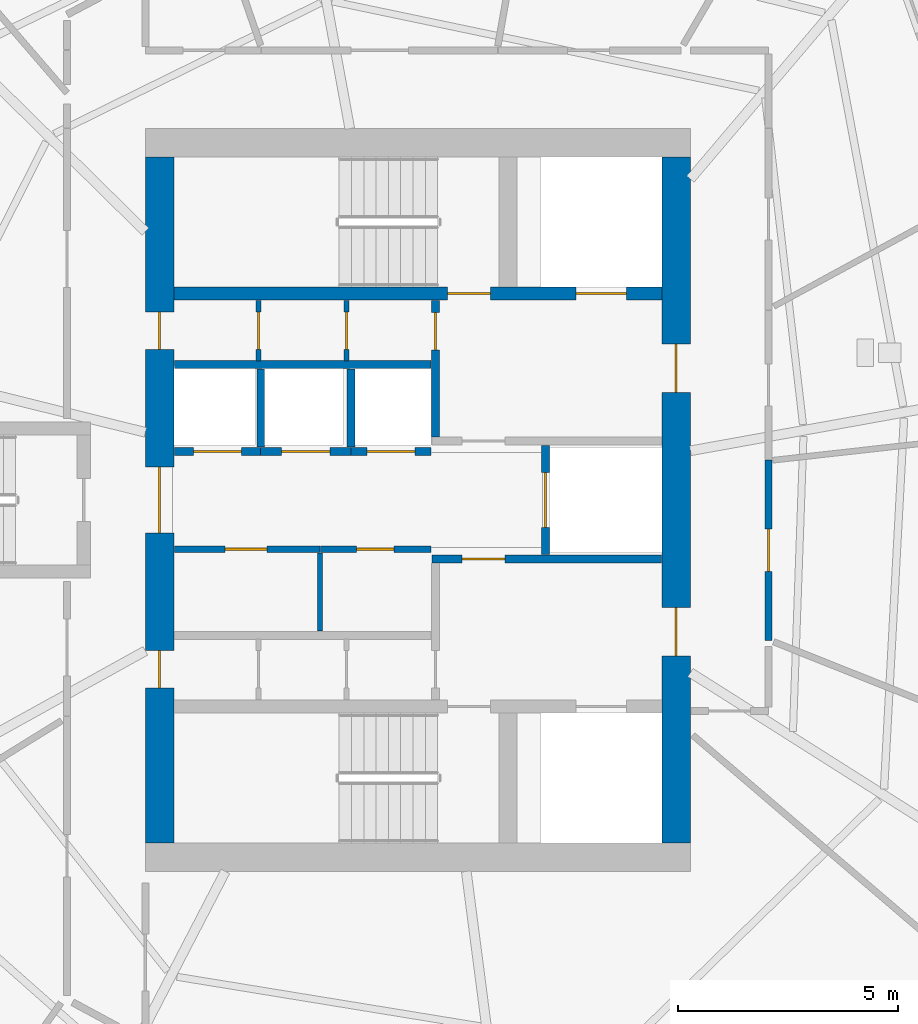
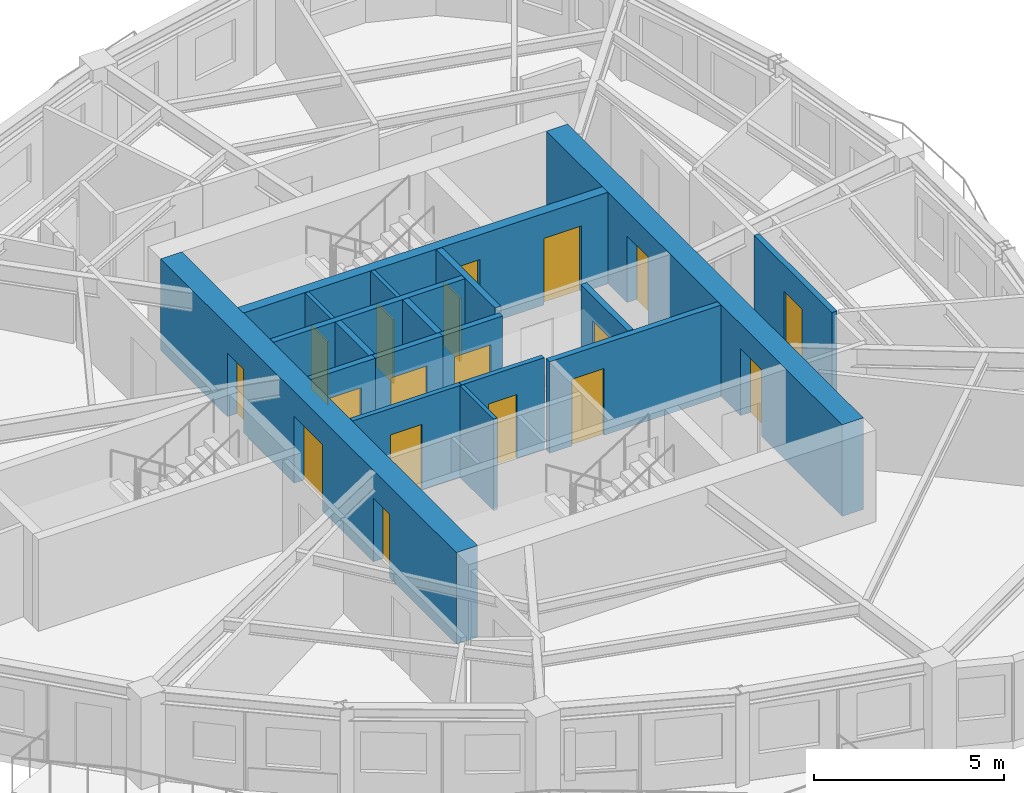
# One storey, part 5 of 12: 18 doors, 18 walls, 18 openings.
"""IFC4 building model written with IfcOpenShell, lengths in metres."""

from ifc_helpers import new_model, si_unit, direction, frame, frame_2d, origin, place, context, subcontext, project, spatial, rectangle, extrude, source, transform, mapped, material, layer, layer_set, type_object, element, fill, save


model = new_model("IFC4")

# Units and contexts
model_context = context("Model", 3, precision=1e-05, world=origin(), true_north=direction((0.0, 1.0)))
body_context = subcontext(model_context, "Body", "Model", "MODEL_VIEW")
ifc_project = project(units=[si_unit("LENGTHUNIT", "METRE"), si_unit("AREAUNIT", "SQUARE_METRE"), si_unit("VOLUMEUNIT", "CUBIC_METRE"), si_unit("PLANEANGLEUNIT", "RADIAN"), si_unit("MASSUNIT", "GRAM", prefix="KILO")], contexts=[model_context])

# Site, building, storey
site_placement = place(None, origin())
site = spatial("IfcSite", under=ifc_project, at=site_placement, CompositionType="ELEMENT")
building_placement = place(site_placement, origin())
building = spatial("IfcBuilding", under=site, at=building_placement, Name="Qafzar Sky-Pleat Residences", CompositionType="ELEMENT")
storey_placement = place(building_placement, frame((0.0, 0.0, 181.0)))
storey = spatial("IfcBuildingStorey", under=building, at=storey_placement, Name="L54", CompositionType="ELEMENT", Elevation=181.0)

# Wall, opening, door
ifc_material_1 = material(Name="Acoustic gypsum plasterboard partition", Category="gypsum")
ifc_layer_1 = layer(ifc_material_1, 0.159912109375)
ifc_layer_set_1 = layer_set([ifc_layer_1], Name="Acoustic gypsum plasterboard partition")
wall_type_1 = type_object("IfcWallType", Name="PART-COR-160", PredefinedType="PARTITIONING", material=ifc_layer_set_1)
wall_1_placement = place(storey_placement, frame((38.330078125, 26.908935546875, 0.0), z_axis=(0.0, 0.0, 1.0), x_axis=(0.0, -1.0, 0.0)))
wall_1 = element("IfcWall", 1, at=wall_1_placement, inside=storey, type_object=wall_type_1, Name="L54 Partition Wall PART-L54-PW-006", PredefinedType="PARTITIONING", context=body_context, shape_type="SweptSolid", body=[
    extrude(rectangle(XDim=4.10498046875, YDim=0.159912109375, at=frame_2d((2.052490234375, 0.0))), origin(), (0.0, 0.0, 1.0), 2.949951171875),
])
opening_1_placement = place(wall_1_placement, frame((1.572021484375, 0.0, 0.0)))
opening_1 = element("IfcOpeningElement", 2, at=opening_1_placement, cuts=wall_1, Name="Opening ID-06", PredefinedType="OPENING", context=body_context, shape_type="SweptSolid", body=[
    extrude(rectangle(XDim=0.9599609375, YDim=2.10009765625, at=frame_2d((0.47998046875, 1.050048828125))), frame((0.0, 0.08984375, 0.0), z_axis=(0.0, -1.0, 0.0), x_axis=(1.0, 0.0, 0.0)), (0.0, 0.0, 1.0), 0.179931640625),
])
ifc_material_2 = material(Name="Timber-faced fire door", Category="wood")
door_type_1 = type_object("IfcDoorType", Name="DR-STD-960", OperationType="NOTDEFINED", PredefinedType="DOOR", material=ifc_material_2)
shared_shape_1 = source(origin(), body_context, "Body", "SweptSolid", [
    extrude(rectangle(XDim=0.9599609375, YDim=2.10009765625, at=frame_2d((0.47998046875, 1.050048828125))), frame((0.0, 0.02490234375, 0.0), z_axis=(0.0, -1.0, 0.0), x_axis=(1.0, 0.0, 0.0)), (0.0, 0.0, 1.0), 0.050048828125),
])
door_1_placement = place(opening_1_placement, origin())
door_1 = element("IfcDoor", 3, at=door_1_placement, inside=storey, type_object=door_type_1, Name="L54 Postdoctoral Admin Office Door", OperationType="SINGLE_SWING_LEFT", OverallHeight=2.10009765625, OverallWidth=0.9599609375, PredefinedType="DOOR", context=body_context, shape_type="MappedRepresentation", body=[
    mapped(shared_shape_1, transform((0.0, 0.0, 0.0), x_axis=(1.0, 0.0, 0.0), y_axis=(0.0, 1.0, 0.0), z_axis=(0.0, 0.0, 1.0), scale=1.0)),
])
fill(opening_1, door_1)

ifc_material_3 = material(Name="Concrete blockwork partition", Category="masonry")
ifc_layer_2 = layer(ifc_material_3, 0.179931640625)
ifc_layer_set_2 = layer_set([ifc_layer_2], Name="Concrete blockwork partition")
wall_type_2 = type_object("IfcWallType", Name="PART-SHAFT-180", PredefinedType="PARTITIONING", material=ifc_layer_set_2)
wall_2_placement = place(storey_placement, frame((30.669921875, 24.659912109375, 0.0), z_axis=(0.0, 0.0, 1.0), x_axis=(1.0, 0.0, 0.0)))
wall_2 = element("IfcWall", 4, at=wall_2_placement, inside=storey, type_object=wall_type_2, Name="L54 Partition Wall PART-L54-FFL1-N", PredefinedType="PARTITIONING", context=body_context, shape_type="SweptSolid", body=[
    extrude(rectangle(XDim=5.219970703125, YDim=0.179931640625, at=frame_2d((2.60986328125, 0.0))), origin(), (0.0, 0.0, 1.0), 2.949951171875),
])
opening_2_placement = place(wall_2_placement, frame((0.679931640625, 0.0, 0.0)))
opening_2 = element("IfcOpeningElement", 5, at=opening_2_placement, cuts=wall_2, Name="Opening ID-01", PredefinedType="OPENING", context=body_context, shape_type="SweptSolid", body=[
    extrude(rectangle(XDim=0.97998046875, YDim=2.14990234375, at=frame_2d((0.489990234375, 1.074951171875))), frame((0.0, 0.10009765625, 0.0), z_axis=(0.0, -1.0, 0.0), x_axis=(1.0, 0.0, 0.0)), (0.0, 0.0, 1.0), 0.199951171875),
])
door_type_2 = type_object("IfcDoorType", Name="DR-STAIR-980", OperationType="NOTDEFINED", PredefinedType="DOOR", material=ifc_material_2)
shared_shape_2 = source(origin(), body_context, "Body", "SweptSolid", [
    extrude(rectangle(XDim=0.97998046875, YDim=2.14990234375, at=frame_2d((0.489990234375, 1.074951171875))), frame((0.0, 0.02490234375, 0.0), z_axis=(0.0, -1.0, 0.0), x_axis=(1.0, 0.0, 0.0)), (0.0, 0.0, 1.0), 0.050048828125),
])
door_2_placement = place(opening_2_placement, origin())
door_2 = element("IfcDoor", 6, at=door_2_placement, inside=storey, type_object=door_type_2, Name="L54 Lift Lobby to South Firefighting Lobby Door", OperationType="SINGLE_SWING_LEFT", OverallHeight=2.14990234375, OverallWidth=0.97998046875, PredefinedType="DOOR", context=body_context, shape_type="MappedRepresentation", body=[
    mapped(shared_shape_2, transform((0.0, 0.0, 0.0), x_axis=(1.0, 0.0, 0.0), y_axis=(0.0, 1.0, 0.0), z_axis=(0.0, 0.0, 1.0), scale=1.0)),
])
fill(opening_2, door_2)

wall_3_placement = place(storey_placement, frame((30.75, 27.429931640625, 0.0), z_axis=(0.0, 0.0, 1.0), x_axis=(0.0, 1.0, 0.0)))
wall_3 = element("IfcWall", 7, at=wall_3_placement, inside=storey, type_object=wall_type_2, Name="L54 Partition Wall PART-L54-FFL2-W", PredefinedType="PARTITIONING", context=body_context, shape_type="SweptSolid", body=[
    extrude(rectangle(XDim=3.110107421875, YDim=0.179931640625, at=frame_2d((1.55517578125, 0.0))), origin(), (0.0, 0.0, 1.0), 2.949951171875),
])
opening_3_placement = place(wall_3_placement, frame((1.97998046875, 0.0, 0.0)))
opening_3 = element("IfcOpeningElement", 8, at=opening_3_placement, cuts=wall_3, Name="Opening ID-09", PredefinedType="OPENING", context=body_context, shape_type="SweptSolid", body=[
    extrude(rectangle(XDim=0.860107421875, YDim=2.050048828125, at=frame_2d((0.43017578125, 1.02490234375))), frame((0.0, 0.10009765625, 0.0), z_axis=(0.0, -1.0, 0.0), x_axis=(1.0, 0.0, 0.0)), (0.0, 0.0, 1.0), 0.199951171875),
])
door_type_3 = type_object("IfcDoorType", Name="DR-SVC-860", OperationType="NOTDEFINED", PredefinedType="DOOR", material=ifc_material_2)
shared_shape_3 = source(origin(), body_context, "Body", "SweptSolid", [
    extrude(rectangle(XDim=0.860107421875, YDim=2.050048828125, at=frame_2d((0.43017578125, 1.02490234375))), frame((0.0, 0.02490234375, 0.0), z_axis=(0.0, -1.0, 0.0), x_axis=(1.0, 0.0, 0.0)), (0.0, 0.0, 1.0), 0.050048828125),
])
door_3_placement = place(opening_3_placement, origin())
door_3 = element("IfcDoor", 9, at=door_3_placement, inside=storey, type_object=door_type_3, Name="L54 North Core Cupboard Door", OperationType="SINGLE_SWING_RIGHT", OverallHeight=2.050048828125, OverallWidth=0.860107421875, PredefinedType="DOOR", context=body_context, shape_type="MappedRepresentation", body=[
    mapped(shared_shape_3, transform((0.0, 0.0, 0.0), x_axis=(1.0, 0.0, 0.0), y_axis=(0.0, 1.0, 0.0), z_axis=(0.0, 0.0, 1.0), scale=1.0)),
])
fill(opening_3, door_3)

wall_4_placement = place(storey_placement, frame((33.25, 24.760009765625, 0.0), z_axis=(0.0, 0.0, 1.0), x_axis=(0.0, 1.0, 0.0)))
wall_4 = element("IfcWall", 10, at=wall_4_placement, inside=storey, type_object=wall_type_2, Name="L54 Partition Wall PART-L54-SV1-W", PredefinedType="PARTITIONING", context=body_context, shape_type="SweptSolid", body=[
    extrude(rectangle(XDim=2.47998046875, YDim=0.179931640625, at=frame_2d((1.239990234375, 0.0))), origin(), (0.0, 0.0, 1.0), 2.949951171875),
])
opening_4_placement = place(wall_4_placement, frame((0.614990234375, 0.0, 0.0)))
opening_4 = element("IfcOpeningElement", 11, at=opening_4_placement, cuts=wall_4, Name="Opening LD-03", PredefinedType="OPENING", context=body_context, shape_type="SweptSolid", body=[
    extrude(rectangle(XDim=1.25, YDim=2.14990234375, at=frame_2d((0.625, 1.074951171875))), frame((0.0, 0.10009765625, 0.0), z_axis=(0.0, -1.0, 0.0), x_axis=(1.0, 0.0, 0.0)), (0.0, 0.0, 1.0), 0.199951171875),
])
ifc_material_4 = material(Name="Stainless steel sliding landing door", Category="steel")
door_type_4 = type_object("IfcDoorType", Name="DR-LIFT-SV", OperationType="DOUBLE_DOOR_SLIDING", PredefinedType="DOOR", material=ifc_material_4)
shared_shape_4 = source(origin(), body_context, "Body", "SweptSolid", [
    extrude(rectangle(XDim=1.25, YDim=2.14990234375, at=frame_2d((0.625, 1.074951171875))), frame((0.0, 0.02490234375, 0.0), z_axis=(0.0, -1.0, 0.0), x_axis=(1.0, 0.0, 0.0)), (0.0, 0.0, 1.0), 0.050048828125),
])
door_4_placement = place(opening_4_placement, origin())
door_4 = element("IfcDoor", 12, at=door_4_placement, inside=storey, type_object=door_type_4, Name="L54 Service Lift SV1 Landing Door", OperationType="DOUBLE_DOOR_SLIDING", OverallHeight=2.14990234375, OverallWidth=1.25, PredefinedType="DOOR", context=body_context, shape_type="MappedRepresentation", body=[
    mapped(shared_shape_4, transform((0.0, 0.0, 0.0), x_axis=(1.0, 0.0, 0.0), y_axis=(0.0, 1.0, 0.0), z_axis=(0.0, 0.0, 1.0), scale=1.0)),
])
fill(opening_4, door_4)

# Wall
wall_5_placement = place(storey_placement, frame((24.81005859375, 29.080078125, 0.0), z_axis=(0.0, 0.0, 1.0), x_axis=(1.0, 0.0, 0.0)))
element("IfcWall", 13, at=wall_5_placement, inside=storey, type_object=wall_type_2, Name="L54 Partition Wall PART-L54-P46-N", PredefinedType="PARTITIONING", context=body_context, shape_type="SweptSolid", body=[
    extrude(rectangle(XDim=5.83984375, YDim=0.179931640625, at=frame_2d((2.919921875, 0.0))), origin(), (0.0, 0.0, 1.0), 2.949951171875),
])

# Wall, opening, door
wall_6_placement = place(storey_placement, frame((24.81005859375, 27.10009765625, 0.0), z_axis=(0.0, 0.0, 1.0), x_axis=(1.0, 0.0, 0.0)))
wall_6 = element("IfcWall", 14, at=wall_6_placement, inside=storey, type_object=wall_type_2, Name="L54 Partition Wall PART-L54-P4-S", PredefinedType="PARTITIONING", context=body_context, shape_type="SweptSolid", body=[
    extrude(rectangle(XDim=1.96484375, YDim=0.179931640625, at=frame_2d((0.982421875, 0.0))), origin(), (0.0, 0.0, 1.0), 2.949951171875),
])
opening_5_placement = place(wall_6_placement, frame((0.4326171875, 0.0, 0.0)))
opening_5 = element("IfcOpeningElement", 15, at=opening_5_placement, cuts=wall_6, Name="Opening LD-01", PredefinedType="OPENING", context=body_context, shape_type="SweptSolid", body=[
    extrude(rectangle(XDim=1.10009765625, YDim=2.14990234375, at=frame_2d((0.550048828125, 1.074951171875))), frame((0.0, 0.10009765625, 0.0), z_axis=(0.0, -1.0, 0.0), x_axis=(1.0, 0.0, 0.0)), (0.0, 0.0, 1.0), 0.199951171875),
])
door_type_5 = type_object("IfcDoorType", Name="DR-LIFT-P", OperationType="DOUBLE_DOOR_SLIDING", PredefinedType="DOOR", material=ifc_material_4)
shared_shape_5 = source(origin(), body_context, "Body", "SweptSolid", [
    extrude(rectangle(XDim=1.10009765625, YDim=2.14990234375, at=frame_2d((0.550048828125, 1.074951171875))), frame((0.0, 0.02490234375, 0.0), z_axis=(0.0, -1.0, 0.0), x_axis=(1.0, 0.0, 0.0)), (0.0, 0.0, 1.0), 0.050048828125),
])
door_5_placement = place(opening_5_placement, origin())
door_5 = element("IfcDoor", 16, at=door_5_placement, inside=storey, type_object=door_type_5, Name="L54 Passenger Lift P4 Landing Door", OperationType="DOUBLE_DOOR_SLIDING", OverallHeight=2.14990234375, OverallWidth=1.10009765625, PredefinedType="DOOR", context=body_context, shape_type="MappedRepresentation", body=[
    mapped(shared_shape_5, transform((0.0, 0.0, 0.0), x_axis=(1.0, 0.0, 0.0), y_axis=(0.0, 1.0, 0.0), z_axis=(0.0, 0.0, 1.0), scale=1.0)),
])
fill(opening_5, door_5)

wall_7_placement = place(storey_placement, frame((26.77490234375, 27.10009765625, 0.0), z_axis=(0.0, 0.0, 1.0), x_axis=(1.0, 0.0, 0.0)))
wall_7 = element("IfcWall", 17, at=wall_7_placement, inside=storey, type_object=wall_type_2, Name="L54 Partition Wall PART-L54-P5-S", PredefinedType="PARTITIONING", context=body_context, shape_type="SweptSolid", body=[
    extrude(rectangle(XDim=2.050048828125, YDim=0.179931640625, at=frame_2d((1.02490234375, 0.0))), origin(), (0.0, 0.0, 1.0), 2.949951171875),
])
opening_6_placement = place(wall_7_placement, frame((0.47509765625, 0.0, 0.0)))
opening_6 = element("IfcOpeningElement", 18, at=opening_6_placement, cuts=wall_7, Name="Opening LD-01", PredefinedType="OPENING", context=body_context, shape_type="SweptSolid", body=[
    extrude(rectangle(XDim=1.10009765625, YDim=2.14990234375, at=frame_2d((0.550048828125, 1.074951171875))), frame((0.0, 0.10009765625, 0.0), z_axis=(0.0, -1.0, 0.0), x_axis=(1.0, 0.0, 0.0)), (0.0, 0.0, 1.0), 0.199951171875),
])
door_6_placement = place(opening_6_placement, origin())
door_6 = element("IfcDoor", 19, at=door_6_placement, inside=storey, type_object=door_type_5, Name="L54 Passenger Lift P5 Landing Door", OperationType="DOUBLE_DOOR_SLIDING", OverallHeight=2.14990234375, OverallWidth=1.10009765625, PredefinedType="DOOR", context=body_context, shape_type="MappedRepresentation", body=[
    mapped(shared_shape_5, transform((0.0, 0.0, 0.0), x_axis=(1.0, 0.0, 0.0), y_axis=(0.0, 1.0, 0.0), z_axis=(0.0, 0.0, 1.0), scale=1.0)),
])
fill(opening_6, door_6)

# Wall
wall_8_placement = place(storey_placement, frame((26.77490234375, 27.199951171875, 0.0), z_axis=(0.0, 0.0, 1.0), x_axis=(0.0, 1.0, 0.0)))
element("IfcWall", 20, at=wall_8_placement, inside=storey, type_object=wall_type_2, Name="L54 Partition Wall PART-L54-P46-DIV-1", PredefinedType="PARTITIONING", context=body_context, shape_type="SweptSolid", body=[
    extrude(rectangle(XDim=1.780029296875, YDim=0.179931640625, at=frame_2d((0.89013671875, 0.0))), origin(), (0.0, 0.0, 1.0), 2.949951171875),
])

# Wall, opening, door
wall_9_placement = place(storey_placement, frame((28.824951171875, 27.10009765625, 0.0), z_axis=(0.0, 0.0, 1.0), x_axis=(1.0, 0.0, 0.0)))
wall_9 = element("IfcWall", 21, at=wall_9_placement, inside=storey, type_object=wall_type_2, Name="L54 Partition Wall PART-L54-P6-S", PredefinedType="PARTITIONING", context=body_context, shape_type="SweptSolid", body=[
    extrude(rectangle(XDim=1.824951171875, YDim=0.179931640625, at=frame_2d((0.91259765625, 0.0))), origin(), (0.0, 0.0, 1.0), 2.949951171875),
])
opening_7_placement = place(wall_9_placement, frame((0.362548828125, 0.0, 0.0)))
opening_7 = element("IfcOpeningElement", 22, at=opening_7_placement, cuts=wall_9, Name="Opening LD-01", PredefinedType="OPENING", context=body_context, shape_type="SweptSolid", body=[
    extrude(rectangle(XDim=1.10009765625, YDim=2.14990234375, at=frame_2d((0.550048828125, 1.074951171875))), frame((0.0, 0.10009765625, 0.0), z_axis=(0.0, -1.0, 0.0), x_axis=(1.0, 0.0, 0.0)), (0.0, 0.0, 1.0), 0.199951171875),
])
door_7_placement = place(opening_7_placement, origin())
door_7 = element("IfcDoor", 23, at=door_7_placement, inside=storey, type_object=door_type_5, Name="L54 Passenger Lift P6 Landing Door", OperationType="DOUBLE_DOOR_SLIDING", OverallHeight=2.14990234375, OverallWidth=1.10009765625, PredefinedType="DOOR", context=body_context, shape_type="MappedRepresentation", body=[
    mapped(shared_shape_5, transform((0.0, 0.0, 0.0), x_axis=(1.0, 0.0, 0.0), y_axis=(0.0, 1.0, 0.0), z_axis=(0.0, 0.0, 1.0), scale=1.0)),
])
fill(opening_7, door_7)

# Walls
wall_10_placement = place(storey_placement, frame((28.824951171875, 27.199951171875, 0.0), z_axis=(0.0, 0.0, 1.0), x_axis=(0.0, 1.0, 0.0)))
element("IfcWall", 24, at=wall_10_placement, inside=storey, type_object=wall_type_2, Name="L54 Partition Wall PART-L54-P46-DIV-2", PredefinedType="PARTITIONING", context=body_context, shape_type="SweptSolid", body=[
    extrude(rectangle(XDim=1.780029296875, YDim=0.179931640625, at=frame_2d((0.89013671875, 0.0))), origin(), (0.0, 0.0, 1.0), 2.949951171875),
])
ifc_material_5 = material(Name="Gypsum plasterboard partition", Category="gypsum")
ifc_layer_3 = layer(ifc_material_5, 0.114990234375)
ifc_layer_set_3 = layer_set([ifc_layer_3], Name="Gypsum plasterboard partition")
wall_type_3 = type_object("IfcWallType", Name="PART-SVC-115", PredefinedType="PARTITIONING", material=ifc_layer_set_3)
wall_11_placement = place(storey_placement, frame((28.125, 23.02001953125, 0.0), z_axis=(0.0, 0.0, 1.0), x_axis=(0.0, 1.0, 0.0)))
element("IfcWall", 25, at=wall_11_placement, inside=storey, type_object=wall_type_3, Name="L54 Partition Wall PART-L54-RECLAIM-DIV", PredefinedType="PARTITIONING", context=body_context, shape_type="SweptSolid", body=[
    extrude(rectangle(XDim=1.77001953125, YDim=0.114990234375, at=frame_2d((0.885009765625, 0.0))), origin(), (0.0, 0.0, 1.0), 2.949951171875),
])

# Wall, opening, door
wall_12_placement = place(storey_placement, frame((26.72509765625, 29.159912109375, 0.0), z_axis=(0.0, 0.0, 1.0), x_axis=(0.0, 1.0, 0.0)))
wall_12 = element("IfcWall", 26, at=wall_12_placement, inside=storey, type_object=wall_type_3, Name="L54 Partition Wall PART-L54-KC-NW-1", PredefinedType="PARTITIONING", context=body_context, shape_type="SweptSolid", body=[
    extrude(rectangle(XDim=1.380126953125, YDim=0.114990234375, at=frame_2d((0.68994140625, 0.0))), origin(), (0.0, 0.0, 1.0), 2.949951171875),
])
opening_8_placement = place(wall_12_placement, frame((0.260009765625, 0.0, 0.0)))
opening_8 = element("IfcOpeningElement", 27, at=opening_8_placement, cuts=wall_12, Name="Opening ID-09", PredefinedType="OPENING", context=body_context, shape_type="SweptSolid", body=[
    extrude(rectangle(XDim=0.860107421875, YDim=2.050048828125, at=frame_2d((0.43017578125, 1.02490234375))), frame((0.0, 0.0673828125, 0.0), z_axis=(0.0, -1.0, 0.0), x_axis=(1.0, 0.0, 0.0)), (0.0, 0.0, 1.0), 0.135009765625),
])
door_8_placement = place(opening_8_placement, origin())
door_8 = element("IfcDoor", 28, at=door_8_placement, inside=storey, type_object=door_type_3, Name="L54 Core North Cupboard 1 Door", OperationType="SINGLE_SWING_LEFT", OverallHeight=2.050048828125, OverallWidth=0.860107421875, PredefinedType="DOOR", context=body_context, shape_type="MappedRepresentation", body=[
    mapped(shared_shape_3, transform((0.0, 0.0, 0.0), x_axis=(1.0, 0.0, 0.0), y_axis=(0.0, 1.0, 0.0), z_axis=(0.0, 0.0, 1.0), scale=1.0)),
])
fill(opening_8, door_8)

wall_13_placement = place(storey_placement, frame((28.72509765625, 29.159912109375, 0.0), z_axis=(0.0, 0.0, 1.0), x_axis=(0.0, 1.0, 0.0)))
wall_13 = element("IfcWall", 29, at=wall_13_placement, inside=storey, type_object=wall_type_3, Name="L54 Partition Wall PART-L54-KC-NW-2", PredefinedType="PARTITIONING", context=body_context, shape_type="SweptSolid", body=[
    extrude(rectangle(XDim=1.380126953125, YDim=0.114990234375, at=frame_2d((0.68994140625, 0.0))), origin(), (0.0, 0.0, 1.0), 2.949951171875),
])
opening_9_placement = place(wall_13_placement, frame((0.260009765625, 0.0, 0.0)))
opening_9 = element("IfcOpeningElement", 30, at=opening_9_placement, cuts=wall_13, Name="Opening ID-09", PredefinedType="OPENING", context=body_context, shape_type="SweptSolid", body=[
    extrude(rectangle(XDim=0.860107421875, YDim=2.050048828125, at=frame_2d((0.43017578125, 1.02490234375))), frame((0.0, 0.0673828125, 0.0), z_axis=(0.0, -1.0, 0.0), x_axis=(1.0, 0.0, 0.0)), (0.0, 0.0, 1.0), 0.135009765625),
])
door_9_placement = place(opening_9_placement, origin())
door_9 = element("IfcDoor", 31, at=door_9_placement, inside=storey, type_object=door_type_3, Name="L54 Core North Cupboard 2 Door", OperationType="SINGLE_SWING_LEFT", OverallHeight=2.050048828125, OverallWidth=0.860107421875, PredefinedType="DOOR", context=body_context, shape_type="MappedRepresentation", body=[
    mapped(shared_shape_3, transform((0.0, 0.0, 0.0), x_axis=(1.0, 0.0, 0.0), y_axis=(0.0, 1.0, 0.0), z_axis=(0.0, 0.0, 1.0), scale=1.0)),
])
fill(opening_9, door_9)

ifc_layer_4 = layer(ifc_material_1, 0.14501953125)
ifc_layer_set_4 = layer_set([ifc_layer_4], Name="Acoustic gypsum plasterboard partition")
wall_type_4 = type_object("IfcWallType", Name="PART-UNIT-145", PredefinedType="PARTITIONING", material=ifc_layer_set_4)
wall_14_placement = place(storey_placement, frame((24.81005859375, 24.8798828125, 0.0), z_axis=(0.0, 0.0, 1.0), x_axis=(1.0, 0.0, 0.0)))
wall_14 = element("IfcWall", 32, at=wall_14_placement, inside=storey, type_object=wall_type_4, Name="L54 Partition Wall PART-L54-RECLAIM-N1", PredefinedType="PARTITIONING", context=body_context, shape_type="SweptSolid", body=[
    extrude(rectangle(XDim=3.31005859375, YDim=0.14501953125, at=frame_2d((1.655029296875, 0.0))), origin(), (0.0, 0.0, 1.0), 2.949951171875),
])
opening_10_placement = place(wall_14_placement, frame((1.14990234375, 0.0, 0.0)))
opening_10 = element("IfcOpeningElement", 33, at=opening_10_placement, cuts=wall_14, Name="Opening ID-06", PredefinedType="OPENING", context=body_context, shape_type="SweptSolid", body=[
    extrude(rectangle(XDim=0.9599609375, YDim=2.10009765625, at=frame_2d((0.47998046875, 1.050048828125))), frame((0.0, 0.08251953125, 0.0), z_axis=(0.0, -1.0, 0.0), x_axis=(1.0, 0.0, 0.0)), (0.0, 0.0, 1.0), 0.1650390625),
])
door_10_placement = place(opening_10_placement, origin())
door_10 = element("IfcDoor", 34, at=door_10_placement, inside=storey, type_object=door_type_1, Name="L54 Reclaimed Quiet Study Room Door", OperationType="SINGLE_SWING_RIGHT", OverallHeight=2.10009765625, OverallWidth=0.9599609375, PredefinedType="DOOR", context=body_context, shape_type="MappedRepresentation", body=[
    mapped(shared_shape_1, transform((0.0, 0.0, 0.0), x_axis=(1.0, 0.0, 0.0), y_axis=(0.0, 1.0, 0.0), z_axis=(0.0, 0.0, 1.0), scale=1.0)),
])
fill(opening_10, door_10)

wall_15_placement = place(storey_placement, frame((28.1298828125, 24.8798828125, 0.0), z_axis=(0.0, 0.0, 1.0), x_axis=(1.0, 0.0, 0.0)))
wall_15 = element("IfcWall", 35, at=wall_15_placement, inside=storey, type_object=wall_type_4, Name="L54 Partition Wall PART-L54-RECLAIM-N2", PredefinedType="PARTITIONING", context=body_context, shape_type="SweptSolid", body=[
    extrude(rectangle(XDim=2.52001953125, YDim=0.14501953125, at=frame_2d((1.260009765625, 0.0))), origin(), (0.0, 0.0, 1.0), 2.949951171875),
])
opening_11_placement = place(wall_15_placement, frame((0.820068359375, 0.0, 0.0)))
opening_11 = element("IfcOpeningElement", 36, at=opening_11_placement, cuts=wall_15, Name="Opening ID-09", PredefinedType="OPENING", context=body_context, shape_type="SweptSolid", body=[
    extrude(rectangle(XDim=0.860107421875, YDim=2.050048828125, at=frame_2d((0.43017578125, 1.02490234375))), frame((0.0, 0.08251953125, 0.0), z_axis=(0.0, -1.0, 0.0), x_axis=(1.0, 0.0, 0.0)), (0.0, 0.0, 1.0), 0.1650390625),
])
door_11_placement = place(opening_11_placement, origin())
door_11 = element("IfcDoor", 37, at=door_11_placement, inside=storey, type_object=door_type_3, Name="L54 Reclaimed Linen Cupboard Door", OperationType="SINGLE_SWING_LEFT", OverallHeight=2.050048828125, OverallWidth=0.860107421875, PredefinedType="DOOR", context=body_context, shape_type="MappedRepresentation", body=[
    mapped(shared_shape_3, transform((0.0, 0.0, 0.0), x_axis=(1.0, 0.0, 0.0), y_axis=(0.0, 1.0, 0.0), z_axis=(0.0, 0.0, 1.0), scale=1.0)),
])
fill(opening_11, door_11)

# Wall, openings, doors
ifc_material_6 = material(Name="Concrete C60/75", Category="concrete")
ifc_layer_5 = layer(ifc_material_6, 0.300048828125)
ifc_layer_set_5 = layer_set([ifc_layer_5], Name="Concrete C60/75")
wall_type_5 = type_object("IfcWallType", Name="WALL-SHEAR-300", PredefinedType="SHEAR", material=ifc_layer_set_5)
wall_16_placement = place(storey_placement, frame((24.800048828125, 30.699951171875, 0.0), z_axis=(0.0, 0.0, 1.0), x_axis=(1.0, 0.0, 0.0)))
wall_16 = element("IfcWall", 38, at=wall_16_placement, inside=storey, type_object=wall_type_5, Name="L54 Stair ST2 and FF2 Shaft South Wall", PredefinedType="SHEAR", context=body_context, shape_type="SweptSolid", body=[
    extrude(rectangle(XDim=11.099853515625, YDim=0.300048828125, at=frame_2d((5.5498046875, 0.0))), origin(), (0.0, 0.0, 1.0), 2.949951171875),
])
opening_12_placement = place(wall_16_placement, frame((6.219970703125, 0.0, 0.0)))
opening_12 = element("IfcOpeningElement", 39, at=opening_12_placement, cuts=wall_16, Name="Opening ID-01", PredefinedType="OPENING", context=body_context, shape_type="SweptSolid", body=[
    extrude(rectangle(XDim=0.97998046875, YDim=2.14990234375, at=frame_2d((0.489990234375, 1.074951171875))), frame((0.0, 0.16015625, 0.0), z_axis=(0.0, -1.0, 0.0), x_axis=(1.0, 0.0, 0.0)), (0.0, 0.0, 1.0), 0.320068359375),
])
opening_13_placement = place(wall_16_placement, frame((9.14990234375, 0.0, 0.0)))
opening_13 = element("IfcOpeningElement", 40, at=opening_13_placement, cuts=wall_16, Name="Opening LD-02", PredefinedType="OPENING", context=body_context, shape_type="SweptSolid", body=[
    extrude(rectangle(XDim=1.14990234375, YDim=2.14990234375, at=frame_2d((0.574951171875, 1.074951171875))), frame((0.0, 0.16015625, 0.0), z_axis=(0.0, -1.0, 0.0), x_axis=(1.0, 0.0, 0.0)), (0.0, 0.0, 1.0), 0.320068359375),
])
door_12_placement = place(opening_12_placement, origin())
door_12 = element("IfcDoor", 41, at=door_12_placement, inside=storey, type_object=door_type_2, Name="L54 Stair ST2 Fire Door", OperationType="SINGLE_SWING_RIGHT", OverallHeight=2.14990234375, OverallWidth=0.97998046875, PredefinedType="DOOR", context=body_context, shape_type="MappedRepresentation", body=[
    mapped(shared_shape_2, transform((0.0, 0.0, 0.0), x_axis=(1.0, 0.0, 0.0), y_axis=(0.0, 1.0, 0.0), z_axis=(0.0, 0.0, 1.0), scale=1.0)),
])
fill(opening_12, door_12)
door_type_6 = type_object("IfcDoorType", Name="DR-LIFT-FF", OperationType="DOUBLE_DOOR_SLIDING", PredefinedType="DOOR", material=ifc_material_4)
shared_shape_6 = source(origin(), body_context, "Body", "SweptSolid", [
    extrude(rectangle(XDim=1.14990234375, YDim=2.14990234375, at=frame_2d((0.574951171875, 1.074951171875))), frame((0.0, 0.02490234375, 0.0), z_axis=(0.0, -1.0, 0.0), x_axis=(1.0, 0.0, 0.0)), (0.0, 0.0, 1.0), 0.050048828125),
])
door_13_placement = place(opening_13_placement, origin())
door_13 = element("IfcDoor", 42, at=door_13_placement, inside=storey, type_object=door_type_6, Name="L54 Firefighting Lift FF2 Landing Door", OperationType="DOUBLE_DOOR_SLIDING", OverallHeight=2.14990234375, OverallWidth=1.14990234375, PredefinedType="DOOR", context=body_context, shape_type="MappedRepresentation", body=[
    mapped(shared_shape_6, transform((0.0, 0.0, 0.0), x_axis=(1.0, 0.0, 0.0), y_axis=(0.0, 1.0, 0.0), z_axis=(0.0, 0.0, 1.0), scale=1.0)),
])
fill(opening_13, door_13)

ifc_layer_6 = layer(ifc_material_6, 0.64990234375)
ifc_layer_set_6 = layer_set([ifc_layer_6], Name="Concrete C60/75")
wall_type_6 = type_object("IfcWallType", Name="WALL-SHEAR-650", PredefinedType="SHEAR", material=ifc_layer_set_6)
wall_17_placement = place(storey_placement, frame((24.47509765625, 33.800048828125, 0.0), z_axis=(0.0, 0.0, 1.0), x_axis=(0.0, -1.0, 0.0)))
wall_17 = element("IfcWall", 43, at=wall_17_placement, inside=storey, type_object=wall_type_6, Name="L54 CORE wall W", PredefinedType="SHEAR", context=body_context, shape_type="SweptSolid", body=[
    extrude(rectangle(XDim=15.60009765625, YDim=0.64990234375, at=frame_2d((7.800048828125, 0.0))), origin(), (0.0, 0.0, 1.0), 2.949951171875),
])
opening_14_placement = place(wall_17_placement, frame((7.050048828125, 0.0, 0.0)))
opening_14 = element("IfcOpeningElement", 44, at=opening_14_placement, cuts=wall_17, Name="Opening ID-03", PredefinedType="OPENING", context=body_context, shape_type="SweptSolid", body=[
    extrude(rectangle(XDim=1.5, YDim=2.14990234375, at=frame_2d((0.75, 1.074951171875))), frame((0.0, 0.3349609375, 0.0), z_axis=(0.0, -1.0, 0.0), x_axis=(1.0, 0.0, 0.0)), (0.0, 0.0, 1.0), 0.669921875),
])
opening_15_placement = place(wall_17_placement, frame((3.52001953125, 0.0, 0.0)))
opening_15 = element("IfcOpeningElement", 45, at=opening_15_placement, cuts=wall_17, Name="Opening ID-09", PredefinedType="OPENING", context=body_context, shape_type="SweptSolid", body=[
    extrude(rectangle(XDim=0.860107421875, YDim=2.050048828125, at=frame_2d((0.43017578125, 1.02490234375))), frame((0.0, 0.3349609375, 0.0), z_axis=(0.0, -1.0, 0.0), x_axis=(1.0, 0.0, 0.0)), (0.0, 0.0, 1.0), 0.669921875),
])
opening_16_placement = place(wall_17_placement, frame((11.219970703125, 0.0, 0.0)))
opening_16 = element("IfcOpeningElement", 46, at=opening_16_placement, cuts=wall_17, Name="Opening ID-09", PredefinedType="OPENING", context=body_context, shape_type="SweptSolid", body=[
    extrude(rectangle(XDim=0.860107421875, YDim=2.050048828125, at=frame_2d((0.43017578125, 1.02490234375))), frame((0.0, 0.3349609375, 0.0), z_axis=(0.0, -1.0, 0.0), x_axis=(1.0, 0.0, 0.0)), (0.0, 0.0, 1.0), 0.669921875),
])
door_type_7 = type_object("IfcDoorType", Name="DR-COR-1500", OperationType="DOUBLE_DOOR_SINGLE_SWING", PredefinedType="DOOR", material=ifc_material_2)
shared_shape_7 = source(origin(), body_context, "Body", "SweptSolid", [
    extrude(rectangle(XDim=1.5, YDim=2.14990234375, at=frame_2d((0.75, 1.074951171875))), frame((0.0, 0.02490234375, 0.0), z_axis=(0.0, -1.0, 0.0), x_axis=(1.0, 0.0, 0.0)), (0.0, 0.0, 1.0), 0.050048828125),
])
door_14_placement = place(opening_14_placement, origin())
door_14 = element("IfcDoor", 47, at=door_14_placement, inside=storey, type_object=door_type_7, Name="L54 Lift Lobby West Double Door", OperationType="DOUBLE_DOOR_SINGLE_SWING", OverallHeight=2.14990234375, OverallWidth=1.5, PredefinedType="DOOR", context=body_context, shape_type="MappedRepresentation", body=[
    mapped(shared_shape_7, transform((0.0, 0.0, 0.0), x_axis=(1.0, 0.0, 0.0), y_axis=(0.0, 1.0, 0.0), z_axis=(0.0, 0.0, 1.0), scale=1.0)),
])
fill(opening_14, door_14)
door_15_placement = place(opening_15_placement, origin())
door_15 = element("IfcDoor", 48, at=door_15_placement, inside=storey, type_object=door_type_3, Name="L54 Core North-West Service Door", OperationType="SINGLE_SWING_RIGHT", OverallHeight=2.050048828125, OverallWidth=0.860107421875, PredefinedType="DOOR", context=body_context, shape_type="MappedRepresentation", body=[
    mapped(shared_shape_3, transform((0.0, 0.0, 0.0), x_axis=(1.0, 0.0, 0.0), y_axis=(0.0, 1.0, 0.0), z_axis=(0.0, 0.0, 1.0), scale=1.0)),
])
fill(opening_15, door_15)
door_16_placement = place(opening_16_placement, origin())
door_16 = element("IfcDoor", 49, at=door_16_placement, inside=storey, type_object=door_type_3, Name="L54 Core South-West Service Door", OperationType="SINGLE_SWING_LEFT", OverallHeight=2.050048828125, OverallWidth=0.860107421875, PredefinedType="DOOR", context=body_context, shape_type="MappedRepresentation", body=[
    mapped(shared_shape_3, transform((0.0, 0.0, 0.0), x_axis=(1.0, 0.0, 0.0), y_axis=(0.0, 1.0, 0.0), z_axis=(0.0, 0.0, 1.0), scale=1.0)),
])
fill(opening_16, door_16)

wall_18_placement = place(storey_placement, frame((36.22509765625, 18.199951171875, 0.0), z_axis=(0.0, 0.0, 1.0), x_axis=(0.0, 1.0, 0.0)))
wall_18 = element("IfcWall", 50, at=wall_18_placement, inside=storey, type_object=wall_type_6, Name="L54 CORE wall E", PredefinedType="SHEAR", context=body_context, shape_type="SweptSolid", body=[
    extrude(rectangle(XDim=15.60009765625, YDim=0.64990234375, at=frame_2d((7.800048828125, 0.0))), origin(), (0.0, 0.0, 1.0), 2.949951171875),
])
opening_17_placement = place(wall_18_placement, frame((4.25, 0.0, 0.0)))
opening_17 = element("IfcOpeningElement", 51, at=opening_17_placement, cuts=wall_18, Name="Opening ID-02", PredefinedType="OPENING", context=body_context, shape_type="SweptSolid", body=[
    extrude(rectangle(XDim=1.10009765625, YDim=2.14990234375, at=frame_2d((0.550048828125, 1.074951171875))), frame((0.0, 0.3349609375, 0.0), z_axis=(0.0, -1.0, 0.0), x_axis=(1.0, 0.0, 0.0)), (0.0, 0.0, 1.0), 0.669921875),
])
opening_18_placement = place(wall_18_placement, frame((10.25, 0.0, 0.0)))
opening_18 = element("IfcOpeningElement", 52, at=opening_18_placement, cuts=wall_18, Name="Opening ID-02", PredefinedType="OPENING", context=body_context, shape_type="SweptSolid", body=[
    extrude(rectangle(XDim=1.10009765625, YDim=2.14990234375, at=frame_2d((0.550048828125, 1.074951171875))), frame((0.0, 0.3349609375, 0.0), z_axis=(0.0, -1.0, 0.0), x_axis=(1.0, 0.0, 0.0)), (0.0, 0.0, 1.0), 0.669921875),
])
door_type_8 = type_object("IfcDoorType", Name="DR-FFL-1100", OperationType="NOTDEFINED", PredefinedType="DOOR", material=ifc_material_2)
door_17_placement = place(opening_17_placement, origin())
door_17 = element("IfcDoor", 53, at=door_17_placement, inside=storey, type_object=door_type_8, Name="L54 Firefighting Lobby South Corridor Door", OperationType="SINGLE_SWING_RIGHT", OverallHeight=2.14990234375, OverallWidth=1.10009765625, PredefinedType="DOOR", context=body_context, shape_type="MappedRepresentation", body=[
    mapped(shared_shape_5, transform((0.0, 0.0, 0.0), x_axis=(1.0, 0.0, 0.0), y_axis=(0.0, 1.0, 0.0), z_axis=(0.0, 0.0, 1.0), scale=1.0)),
])
fill(opening_17, door_17)
door_18_placement = place(opening_18_placement, origin())
door_18 = element("IfcDoor", 54, at=door_18_placement, inside=storey, type_object=door_type_8, Name="L54 Firefighting Lobby North Corridor Door", OperationType="SINGLE_SWING_LEFT", OverallHeight=2.14990234375, OverallWidth=1.10009765625, PredefinedType="DOOR", context=body_context, shape_type="MappedRepresentation", body=[
    mapped(shared_shape_5, transform((0.0, 0.0, 0.0), x_axis=(1.0, 0.0, 0.0), y_axis=(0.0, 1.0, 0.0), z_axis=(0.0, 0.0, 1.0), scale=1.0)),
])
fill(opening_18, door_18)

save(model, "model.ifc")
